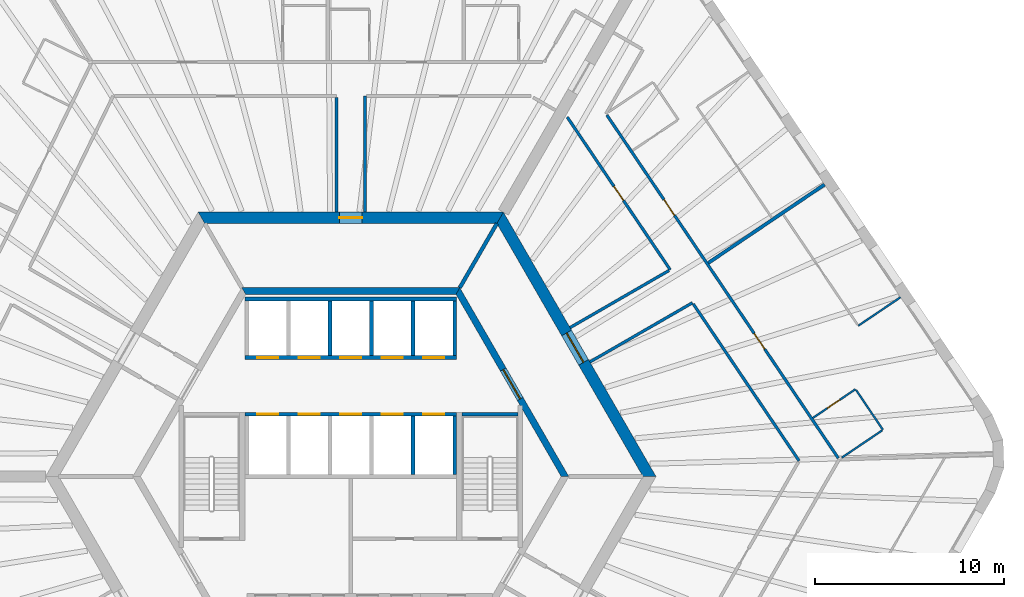
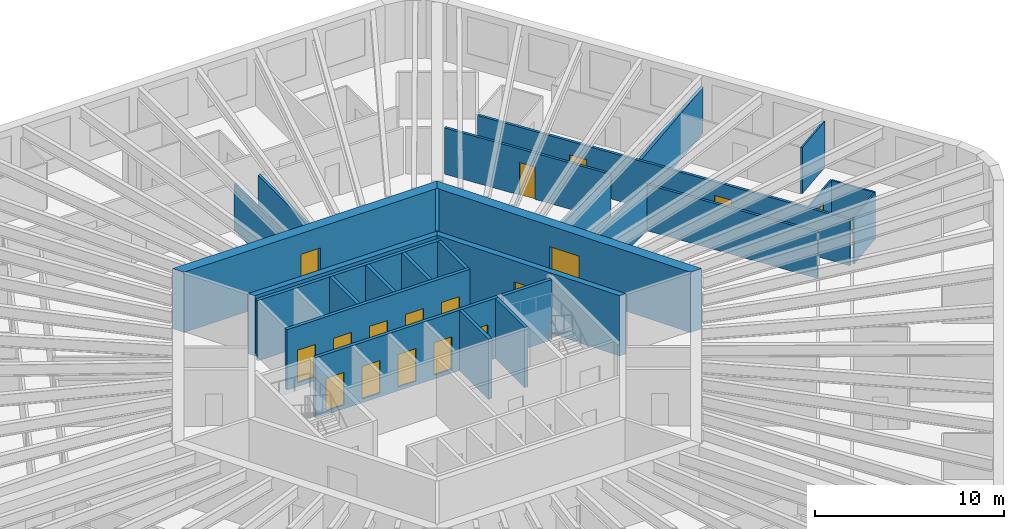
# One storey, part 9 of 12: 27 walls, 17 doors, 17 openings.
"""IFC4 building model written with IfcOpenShell, lengths in metres."""

from ifc_helpers import new_model, si_unit, direction, frame, frame_2d, origin, place, context, subcontext, project, spatial, polyline, rectangle, outline, extrude, material, layer, layer_set, type_object, element, fill, save


model = new_model("IFC4")

# Units and contexts
model_context = context("Model", 3, precision=1e-05, world=origin(), true_north=direction((0.0, 1.0)))
body_context = subcontext(model_context, "Body", "Model", "MODEL_VIEW")
ifc_project = project(units=[si_unit("LENGTHUNIT", "METRE"), si_unit("AREAUNIT", "SQUARE_METRE"), si_unit("VOLUMEUNIT", "CUBIC_METRE"), si_unit("PLANEANGLEUNIT", "RADIAN"), si_unit("MASSUNIT", "GRAM", prefix="KILO")], contexts=[model_context])

# Site, building, storey
site_placement = place(None, origin())
site = spatial("IfcSite", under=ifc_project, at=site_placement, CompositionType="ELEMENT")
building_placement = place(site_placement, origin())
building = spatial("IfcBuilding", under=site, at=building_placement, Name="Tarnside Tower", CompositionType="ELEMENT")
storey_placement = place(building_placement, frame((0.0, 0.0, 115.5)))
storey = spatial("IfcBuildingStorey", under=building, at=storey_placement, Name="L26", CompositionType="ELEMENT", Elevation=115.5)

# Wall, opening, door
ifc_material_1 = material(Name="Gypsum board partition on steel studs", Category="steel")
ifc_layer_1 = layer(ifc_material_1, 0.10009765625)
ifc_layer_set_1 = layer_set([ifc_layer_1], Name="Bathroom wall 100")
wall_type_1 = type_object("IfcWallType", Name="Bathroom wall 100", PredefinedType="PARTITIONING", material=ifc_layer_set_1)
wall_1_placement = place(storey_placement, frame((24.4755859375, 3.100830078125, 0.0), z_axis=(0.0, 0.0, 1.0), x_axis=(0.829047014003, 0.559178905694, 0.0)))
wall_1 = element("IfcWall", 1, at=wall_1_placement, inside=storey, type_object=wall_type_1, Name="Bathroom wall 08137", PredefinedType="PARTITIONING", context=body_context, shape_type="SweptSolid", body=[
    extrude(rectangle(XDim=2.724853515625, YDim=0.10009765625, at=frame_2d((1.3623046875, 0.0))), origin(), (0.0, 0.0, 1.0), 2.98779296875),
])
opening_1_placement = place(wall_1_placement, frame((0.925048828125, 0.0, 0.0)))
opening_1 = element("IfcOpeningElement", 2, at=opening_1_placement, cuts=wall_1, Name="Opening D-B1", PredefinedType="OPENING", context=body_context, shape_type="SweptSolid", body=[
    extrude(rectangle(XDim=0.800048828125, YDim=2.10009765625, at=frame_2d((0.39990234375, 1.050048828125))), frame((0.0, 0.06005859375, 0.0), z_axis=(0.0, -1.0, 0.0), x_axis=(1.0, 0.0, 0.0)), (0.0, 0.0, 1.0), 0.1201171875),
])
ifc_material_2 = material(Name="Timber door leaf", Category="wood")
door_type_1 = type_object("IfcDoorType", Name="Bathroom door 800", OperationType="NOTDEFINED", PredefinedType="DOOR", material=ifc_material_2)
door_1_placement = place(opening_1_placement, origin())
door_1 = element("IfcDoor", 3, at=door_1_placement, inside=storey, type_object=door_type_1, Name="Bathroom door 08035", OperationType="SINGLE_SWING_RIGHT", OverallHeight=2.10009765625, OverallWidth=0.800048828125, PredefinedType="DOOR", context=body_context, shape_type="SweptSolid", body=[
    extrude(rectangle(XDim=0.800048828125, YDim=2.10009765625, at=frame_2d((0.39990234375, 1.050048828125))), frame((0.0, 0.02490234375, 0.0), z_axis=(0.0, -1.0, 0.0), x_axis=(1.0, 0.0, 0.0)), (0.0, 0.0, 1.0), 0.050048828125),
])
fill(opening_1, door_1)

# Walls
wall_2_placement = place(storey_placement, frame((26.762451171875, 4.5830078125, 0.0), z_axis=(0.0, 0.0, 1.0), x_axis=(0.559221247909, -0.829018453285, 0.0)))
element("IfcWall", 4, at=wall_2_placement, inside=storey, type_object=wall_type_1, Name="Bathroom wall 08138", PredefinedType="PARTITIONING", context=body_context, shape_type="SweptSolid", body=[
    extrude(rectangle(XDim=2.550048828125, YDim=0.10009765625, at=frame_2d((1.27490234375, 0.0))), origin(), (0.0, 0.0, 1.0), 2.98779296875),
])
wall_3_placement = place(storey_placement, frame((28.14697265625, 2.441162109375, 0.0), z_axis=(0.0, 0.0, 1.0), x_axis=(-0.829023136679, -0.559214304941, 0.0)))
element("IfcWall", 5, at=wall_3_placement, inside=storey, type_object=wall_type_1, Name="Bathroom wall 08139", PredefinedType="PARTITIONING", context=body_context, shape_type="SweptSolid", body=[
    extrude(rectangle(XDim=2.578857421875, YDim=0.10009765625, at=frame_2d((1.28955078125, 0.0))), origin(), (0.0, 0.0, 1.0), 2.98779296875),
])

# Wall, opening, door
ifc_material_3 = material(Name="Concrete C50/60", Category="concrete")
ifc_layer_2 = layer(ifc_material_3, 0.35009765625)
ifc_layer_set_2 = layer_set([ifc_layer_2], Name="Core block wall 350 C50/60")
wall_type_2 = type_object("IfcWallType", Name="Core block wall 350 C50/60", PredefinedType="SHEAR", material=ifc_layer_set_2)
wall_4_placement = place(storey_placement, frame((11.344970703125, 0.0, -0.14990234375), z_axis=(0.0, 0.0, 1.0), x_axis=(-0.499995046907, 0.866028263435, 0.0)))
wall_4 = element("IfcWall", 6, at=wall_4_placement, inside=storey, type_object=wall_type_2, Name="L26 core block wall face 6", PredefinedType="SHEAR", context=body_context, shape_type="SweptSolid", body=[
    extrude(outline(polyline([(-0.10107421875, -0.175048828125), (11.44580078125, -0.175048828125), (11.24365234375, 0.175048828125), (0.10107421875, 0.175048828125), (-0.10107421875, -0.175048828125)])), origin(), (0.0, 0.0, 1.0), 3.89990234375),
])
opening_2_placement = place(wall_4_placement, frame((4.74365234375, 0.0, 0.14990234375)))
opening_2 = element("IfcOpeningElement", 7, at=opening_2_placement, cuts=wall_4, Name="Opening CD-LOB", PredefinedType="OPENING", context=body_context, shape_type="SweptSolid", body=[
    extrude(rectangle(XDim=1.800048828125, YDim=2.39990234375, at=frame_2d((0.89990234375, 1.199951171875))), frame((0.0, 0.18505859375, 0.0), z_axis=(0.0, -1.0, 0.0), x_axis=(1.0, 0.0, 0.0)), (0.0, 0.0, 1.0), 0.3701171875),
])
ifc_material_4 = material(Name="Steel fire door", Category="steel")
door_type_2 = type_object("IfcDoorType", Name="Lobby double door FD30S 1800x2400", OperationType="NOTDEFINED", PredefinedType="DOOR", material=ifc_material_4)
door_2_placement = place(opening_2_placement, origin())
door_2 = element("IfcDoor", 8, at=door_2_placement, inside=storey, type_object=door_type_2, Name="L26 lobby block door P2", OperationType="DOUBLE_DOOR_SINGLE_SWING", OverallHeight=2.39990234375, OverallWidth=1.800048828125, PredefinedType="DOOR", context=body_context, shape_type="SweptSolid", body=[
    extrude(rectangle(XDim=1.800048828125, YDim=2.39990234375, at=frame_2d((0.89990234375, 1.199951171875))), frame((0.0, 0.02490234375, 0.0), z_axis=(0.0, -1.0, 0.0), x_axis=(1.0, 0.0, 0.0)), (0.0, 0.0, 1.0), 0.050048828125),
])
fill(opening_2, door_2)

# Wall
wall_5_placement = place(storey_placement, frame((5.672607421875, 9.824951171875, -0.14990234375), z_axis=(0.0, 0.0, 1.0), x_axis=(-1.0, 0.0, 0.0)))
element("IfcWall", 9, at=wall_5_placement, inside=storey, type_object=wall_type_2, Name="L26 core block wall face 1", PredefinedType="SHEAR", context=body_context, shape_type="SweptSolid", body=[
    extrude(outline(polyline([(-0.10107421875, -0.175048828125), (11.4462890625, -0.175048828125), (11.244140625, 0.175048828125), (0.10107421875, 0.175048828125), (-0.10107421875, -0.175048828125)])), origin(), (0.0, 0.0, 1.0), 3.89990234375),
])

# Wall, opening, door
ifc_material_5 = material(Name="Concrete C80/95", Category="concrete")
ifc_layer_3 = layer(ifc_material_5, 0.60009765625)
ifc_layer_set_3 = layer_set([ifc_layer_3], Name="Core wall Z1 600 C80/95")
wall_type_3 = type_object("IfcWallType", Name="Core wall Z1 600 C80/95", PredefinedType="SHEAR", material=ifc_layer_set_3)
wall_6_placement = place(storey_placement, frame((15.8193359375, 0.0, -0.14990234375), z_axis=(0.0, 0.0, 1.0), x_axis=(-0.499999880136, 0.866025472988, 0.0)))
wall_6 = element("IfcWall", 10, at=wall_6_placement, inside=storey, type_object=wall_type_3, Name="L26 core wall face 6", PredefinedType="SHEAR", context=body_context, shape_type="SweptSolid", body=[
    extrude(outline(polyline([(-0.17333984375, -0.300048828125), (15.99267578125, -0.300048828125), (15.64599609375, 0.300048828125), (0.17333984375, 0.300048828125), (-0.17333984375, -0.300048828125)])), origin(), (0.0, 0.0, 1.0), 3.89990234375),
])
opening_3_placement = place(wall_6_placement, frame((6.980712890625, 0.0, 0.14990234375)))
opening_3 = element("IfcOpeningElement", 11, at=opening_3_placement, cuts=wall_6, Name="Opening CD-LOB", PredefinedType="OPENING", context=body_context, shape_type="SweptSolid", body=[
    extrude(rectangle(XDim=1.800048828125, YDim=2.39990234375, at=frame_2d((0.89990234375, 1.199951171875))), frame((0.0, 0.31005859375, 0.0), z_axis=(0.0, -1.0, 0.0), x_axis=(1.0, 0.0, 0.0)), (0.0, 0.0, 1.0), 0.6201171875),
])
door_3_placement = place(opening_3_placement, origin())
door_3 = element("IfcDoor", 12, at=door_3_placement, inside=storey, type_object=door_type_2, Name="L26 core door P2", OperationType="DOUBLE_DOOR_SINGLE_SWING", OverallHeight=2.39990234375, OverallWidth=1.800048828125, PredefinedType="DOOR", context=body_context, shape_type="SweptSolid", body=[
    extrude(rectangle(XDim=1.800048828125, YDim=2.39990234375, at=frame_2d((0.89990234375, 1.199951171875))), frame((0.0, 0.02490234375, 0.0), z_axis=(0.0, -1.0, 0.0), x_axis=(1.0, 0.0, 0.0)), (0.0, 0.0, 1.0), 0.050048828125),
])
fill(opening_3, door_3)

wall_7_placement = place(storey_placement, frame((7.90966796875, 13.699951171875, -0.14990234375), z_axis=(0.0, 0.0, 1.0), x_axis=(-1.0, 0.0, 0.0)))
wall_7 = element("IfcWall", 13, at=wall_7_placement, inside=storey, type_object=wall_type_3, Name="L26 core wall face 1", PredefinedType="SHEAR", context=body_context, shape_type="SweptSolid", body=[
    extrude(outline(polyline([(-0.17333984375, -0.300048828125), (15.99267578125, -0.300048828125), (15.64599609375, 0.300048828125), (0.17333984375, 0.300048828125), (-0.17333984375, -0.300048828125)])), origin(), (0.0, 0.0, 1.0), 3.89990234375),
])
opening_4_placement = place(wall_7_placement, frame((7.309814453125, 0.0, 0.14990234375)))
opening_4 = element("IfcOpeningElement", 14, at=opening_4_placement, cuts=wall_7, Name="Opening CD-RSR", PredefinedType="OPENING", context=body_context, shape_type="SweptSolid", body=[
    extrude(rectangle(XDim=1.199951171875, YDim=2.39990234375, at=frame_2d((0.60009765625, 1.199951171875))), frame((0.0, 0.31005859375, 0.0), z_axis=(0.0, -1.0, 0.0), x_axis=(1.0, 0.0, 0.0)), (0.0, 0.0, 1.0), 0.6201171875),
])
door_type_3 = type_object("IfcDoorType", Name="Riser door FD60 1200x2400", OperationType="NOTDEFINED", PredefinedType="DOOR", material=ifc_material_4)
door_4_placement = place(opening_4_placement, origin())
door_4 = element("IfcDoor", 15, at=door_4_placement, inside=storey, type_object=door_type_3, Name="L26 core door S5", OperationType="SINGLE_SWING_LEFT", OverallHeight=2.39990234375, OverallWidth=1.199951171875, PredefinedType="DOOR", context=body_context, shape_type="SweptSolid", body=[
    extrude(rectangle(XDim=1.199951171875, YDim=2.39990234375, at=frame_2d((0.60009765625, 1.199951171875))), frame((0.0, 0.02490234375, 0.0), z_axis=(0.0, -1.0, 0.0), x_axis=(1.0, 0.0, 0.0)), (0.0, 0.0, 1.0), 0.050048828125),
])
fill(opening_4, door_4)

# Walls
ifc_layer_4 = layer(ifc_material_1, 0.14990234375)
ifc_layer_set_4 = layer_set([ifc_layer_4], Name="Corridor wall 150 EI 60")
wall_type_4 = type_object("IfcWallType", Name="Corridor wall 150 EI 60", PredefinedType="PARTITIONING", material=ifc_layer_set_4)
wall_8_placement = place(storey_placement, frame((-0.75, 20.074951171875, 0.0), z_axis=(0.0, 0.0, 1.0), x_axis=(0.0, -1.0, 0.0)))
element("IfcWall", 16, at=wall_8_placement, inside=storey, type_object=wall_type_4, Name="Corridor wall 08019", PredefinedType="PARTITIONING", context=body_context, shape_type="SweptSolid", body=[
    extrude(rectangle(XDim=6.074951171875, YDim=0.14990234375, at=frame_2d((3.03759765625, 0.0))), origin(), (0.0, 0.0, 1.0), 2.98779296875),
])
wall_9_placement = place(storey_placement, frame((0.75, 14.0, 0.0), z_axis=(0.0, 0.0, 1.0), x_axis=(0.0, 1.0, 0.0)))
element("IfcWall", 17, at=wall_9_placement, inside=storey, type_object=wall_type_4, Name="Corridor wall 08020", PredefinedType="PARTITIONING", context=body_context, shape_type="SweptSolid", body=[
    extrude(rectangle(XDim=6.14990234375, YDim=0.14990234375, at=frame_2d((3.074951171875, 0.0))), origin(), (0.0, 0.0, 1.0), 2.98779296875),
])

# Wall, openings, doors
wall_10_placement = place(storey_placement, frame((25.820556640625, 0.972412109375, 0.0), z_axis=(0.0, 0.0, 1.0), x_axis=(-0.559192946342, 0.829037543638, 0.0)))
wall_10 = element("IfcWall", 18, at=wall_10_placement, inside=storey, type_object=wall_type_4, Name="Corridor wall 08056", PredefinedType="PARTITIONING", context=body_context, shape_type="SweptSolid", body=[
    extrude(rectangle(XDim=21.91845703125, YDim=0.14990234375, at=frame_2d((10.959228515625, 0.0))), origin(), (0.0, 0.0, 1.0), 2.98779296875),
])
opening_5_placement = place(wall_10_placement, frame((6.968994140625, 0.0, 0.0)))
opening_5 = element("IfcOpeningElement", 19, at=opening_5_placement, cuts=wall_10, Name="Opening D-E1", PredefinedType="OPENING", context=body_context, shape_type="SweptSolid", body=[
    extrude(rectangle(XDim=1.0, YDim=2.10009765625, at=frame_2d((0.5, 1.050048828125))), frame((0.0, 0.0849609375, 0.0), z_axis=(0.0, -1.0, 0.0), x_axis=(1.0, 0.0, 0.0)), (0.0, 0.0, 1.0), 0.169921875),
])
opening_6_placement = place(wall_10_placement, frame((15.511474609375, 0.0, 0.0)))
opening_6 = element("IfcOpeningElement", 20, at=opening_6_placement, cuts=wall_10, Name="Opening D-E1", PredefinedType="OPENING", context=body_context, shape_type="SweptSolid", body=[
    extrude(rectangle(XDim=1.0, YDim=2.10009765625, at=frame_2d((0.5, 1.050048828125))), frame((0.0, 0.0849609375, 0.0), z_axis=(0.0, -1.0, 0.0), x_axis=(1.0, 0.0, 0.0)), (0.0, 0.0, 1.0), 0.169921875),
])
door_type_4 = type_object("IfcDoorType", Name="Unit entrance door 1000 FD30S", OperationType="NOTDEFINED", PredefinedType="DOOR", material=ifc_material_2)
door_5_placement = place(opening_5_placement, origin())
door_5 = element("IfcDoor", 21, at=door_5_placement, inside=storey, type_object=door_type_4, Name="Unit door 08034", OperationType="SINGLE_SWING_RIGHT", OverallHeight=2.10009765625, OverallWidth=1.0, PredefinedType="DOOR", context=body_context, shape_type="SweptSolid", body=[
    extrude(rectangle(XDim=1.0, YDim=2.10009765625, at=frame_2d((0.5, 1.050048828125))), frame((0.0, 0.02490234375, 0.0), z_axis=(0.0, -1.0, 0.0), x_axis=(1.0, 0.0, 0.0)), (0.0, 0.0, 1.0), 0.050048828125),
])
fill(opening_5, door_5)
door_6_placement = place(opening_6_placement, origin())
door_6 = element("IfcDoor", 22, at=door_6_placement, inside=storey, type_object=door_type_4, Name="Unit door 08037", OperationType="SINGLE_SWING_LEFT", OverallHeight=2.10009765625, OverallWidth=1.0, PredefinedType="DOOR", context=body_context, shape_type="SweptSolid", body=[
    extrude(rectangle(XDim=1.0, YDim=2.10009765625, at=frame_2d((0.5, 1.050048828125))), frame((0.0, 0.02490234375, 0.0), z_axis=(0.0, -1.0, 0.0), x_axis=(1.0, 0.0, 0.0)), (0.0, 0.0, 1.0), 0.050048828125),
])
fill(opening_6, door_6)

# Walls
wall_11_placement = place(storey_placement, frame((12.663818359375, 6.065673828125, 0.0), z_axis=(0.0, 0.0, 1.0), x_axis=(0.866036561919, 0.499980673046, 0.0)))
element("IfcWall", 23, at=wall_11_placement, inside=storey, type_object=wall_type_4, Name="Corridor wall 08062", PredefinedType="PARTITIONING", context=body_context, shape_type="SweptSolid", body=[
    extrude(rectangle(XDim=6.274658203125, YDim=0.14990234375, at=frame_2d((3.13720703125, 0.0))), origin(), (0.0, 0.0, 1.0), 2.98779296875),
])
wall_12_placement = place(storey_placement, frame((18.139892578125, 9.140625, 0.0), z_axis=(0.0, 0.0, 1.0), x_axis=(0.55918799196, -0.829040885389, 0.0)))
element("IfcWall", 24, at=wall_12_placement, inside=storey, type_object=wall_type_4, Name="Corridor wall 08063", PredefinedType="PARTITIONING", context=body_context, shape_type="SweptSolid", body=[
    extrude(rectangle(XDim=10.025146484375, YDim=0.14990234375, at=frame_2d((5.0126953125, 0.0))), origin(), (0.0, 0.0, 1.0), 2.98779296875),
])

# Wall, opening, door
wall_13_placement = place(storey_placement, frame((11.464599609375, 19.037109375, 0.0), z_axis=(0.0, 0.0, 1.0), x_axis=(0.559196064773, -0.829035440221, 0.0)))
wall_13 = element("IfcWall", 25, at=wall_13_placement, inside=storey, type_object=wall_type_4, Name="Corridor wall 08069", PredefinedType="PARTITIONING", context=body_context, shape_type="SweptSolid", body=[
    extrude(rectangle(XDim=9.757080078125, YDim=0.14990234375, at=frame_2d((4.87841796875, 0.0))), origin(), (0.0, 0.0, 1.0), 2.98779296875),
])
opening_7_placement = place(wall_13_placement, frame((4.428466796875, 0.0, 0.0)))
opening_7 = element("IfcOpeningElement", 26, at=opening_7_placement, cuts=wall_13, Name="Opening D-S1", PredefinedType="OPENING", context=body_context, shape_type="SweptSolid", body=[
    extrude(rectangle(XDim=0.89990234375, YDim=2.10009765625, at=frame_2d((0.449951171875, 1.050048828125))), frame((0.0, 0.0849609375, 0.0), z_axis=(0.0, -1.0, 0.0), x_axis=(1.0, 0.0, 0.0)), (0.0, 0.0, 1.0), 0.169921875),
])
door_type_5 = type_object("IfcDoorType", Name="Service room door 900 FD30S", OperationType="NOTDEFINED", PredefinedType="DOOR", material=ifc_material_2)
door_7_placement = place(opening_7_placement, origin())
door_7 = element("IfcDoor", 27, at=door_7_placement, inside=storey, type_object=door_type_5, Name="Service door 08048", OperationType="SINGLE_SWING_RIGHT", OverallHeight=2.10009765625, OverallWidth=0.89990234375, PredefinedType="DOOR", context=body_context, shape_type="SweptSolid", body=[
    extrude(rectangle(XDim=0.89990234375, YDim=2.10009765625, at=frame_2d((0.449951171875, 1.050048828125))), frame((0.0, 0.02490234375, 0.0), z_axis=(0.0, -1.0, 0.0), x_axis=(1.0, 0.0, 0.0)), (0.0, 0.0, 1.0), 0.050048828125),
])
fill(opening_7, door_7)

# Walls
wall_14_placement = place(storey_placement, frame((16.85546875, 10.91064453125, 0.0), z_axis=(0.0, 0.0, 1.0), x_axis=(-0.866020343444, -0.500008764664, 0.0)))
element("IfcWall", 28, at=wall_14_placement, inside=storey, type_object=wall_type_4, Name="Corridor wall 08070", PredefinedType="PARTITIONING", context=body_context, shape_type="SweptSolid", body=[
    extrude(rectangle(XDim=6.052734375, YDim=0.14990234375, at=frame_2d((3.0263671875, 0.0))), origin(), (0.0, 0.0, 1.0), 2.98779296875),
])
ifc_layer_5 = layer(ifc_material_1, 0.179931640625)
ifc_layer_set_5 = layer_set([ifc_layer_5], Name="Demising wall 180 EI 60")
wall_type_5 = type_object("IfcWallType", Name="Demising wall 180 EI 60", PredefinedType="PARTITIONING", material=ifc_layer_set_5)
wall_15_placement = place(storey_placement, frame((25.09228515625, 15.464111328125, 0.0), z_axis=(0.0, 0.0, 1.0), x_axis=(-0.829043414408, -0.559184242471, 0.0)))
element("IfcWall", 29, at=wall_15_placement, inside=storey, type_object=wall_type_5, Name="Demising wall 08142", PredefinedType="PARTITIONING", context=body_context, shape_type="SweptSolid", body=[
    extrude(rectangle(XDim=7.4248046875, YDim=0.179931640625, at=frame_2d((3.71240234375, 0.0))), origin(), (0.0, 0.0, 1.0), 2.98779296875),
])

# Wall, openings, doors
ifc_material_6 = material(Name="Concrete C40/50", Category="concrete")
ifc_layer_6 = layer(ifc_material_6, 0.199951171875)
ifc_layer_set_6 = layer_set([ifc_layer_6], Name="Lift shaft wall 200 C40/50")
wall_type_6 = type_object("IfcWallType", Name="Lift shaft wall 200 C40/50", PredefinedType="SHEAR", material=ifc_layer_set_6)
wall_16_placement = place(storey_placement, frame((-5.60009765625, 6.300048828125, -0.25), z_axis=(0.0, 0.0, 1.0), x_axis=(1.0, 0.0, 0.0)))
wall_16 = element("IfcWall", 30, at=wall_16_placement, inside=storey, type_object=wall_type_6, Name="L26 lift shaft front wall R1", PredefinedType="SHEAR", context=body_context, shape_type="SweptSolid", body=[
    extrude(rectangle(XDim=11.2001953125, YDim=0.199951171875, at=frame_2d((5.60009765625, 0.0))), origin(), (0.0, 0.0, 1.0), 3.89990234375),
])
opening_8_placement = place(wall_16_placement, frame((0.64990234375, 0.0, 0.25)))
opening_8 = element("IfcOpeningElement", 31, at=opening_8_placement, cuts=wall_16, Name="Opening LD", PredefinedType="OPENING", context=body_context, shape_type="SweptSolid", body=[
    extrude(rectangle(XDim=1.10009765625, YDim=2.10009765625, at=frame_2d((0.550048828125, 1.050048828125))), frame((0.0, 0.10986328125, 0.0), z_axis=(0.0, -1.0, 0.0), x_axis=(1.0, 0.0, 0.0)), (0.0, 0.0, 1.0), 0.219970703125),
])
opening_9_placement = place(wall_16_placement, frame((2.85009765625, 0.0, 0.25)))
opening_9 = element("IfcOpeningElement", 32, at=opening_9_placement, cuts=wall_16, Name="Opening LD", PredefinedType="OPENING", context=body_context, shape_type="SweptSolid", body=[
    extrude(rectangle(XDim=1.10009765625, YDim=2.10009765625, at=frame_2d((0.550048828125, 1.050048828125))), frame((0.0, 0.10986328125, 0.0), z_axis=(0.0, -1.0, 0.0), x_axis=(1.0, 0.0, 0.0)), (0.0, 0.0, 1.0), 0.219970703125),
])
opening_10_placement = place(wall_16_placement, frame((5.050048828125, 0.0, 0.25)))
opening_10 = element("IfcOpeningElement", 33, at=opening_10_placement, cuts=wall_16, Name="Opening LD", PredefinedType="OPENING", context=body_context, shape_type="SweptSolid", body=[
    extrude(rectangle(XDim=1.10009765625, YDim=2.10009765625, at=frame_2d((0.550048828125, 1.050048828125))), frame((0.0, 0.10986328125, 0.0), z_axis=(0.0, -1.0, 0.0), x_axis=(1.0, 0.0, 0.0)), (0.0, 0.0, 1.0), 0.219970703125),
])
opening_11_placement = place(wall_16_placement, frame((7.25, 0.0, 0.25)))
opening_11 = element("IfcOpeningElement", 34, at=opening_11_placement, cuts=wall_16, Name="Opening LD", PredefinedType="OPENING", context=body_context, shape_type="SweptSolid", body=[
    extrude(rectangle(XDim=1.10009765625, YDim=2.10009765625, at=frame_2d((0.550048828125, 1.050048828125))), frame((0.0, 0.10986328125, 0.0), z_axis=(0.0, -1.0, 0.0), x_axis=(1.0, 0.0, 0.0)), (0.0, 0.0, 1.0), 0.219970703125),
])
opening_12_placement = place(wall_16_placement, frame((9.449951171875, 0.0, 0.25)))
opening_12 = element("IfcOpeningElement", 35, at=opening_12_placement, cuts=wall_16, Name="Opening LD", PredefinedType="OPENING", context=body_context, shape_type="SweptSolid", body=[
    extrude(rectangle(XDim=1.10009765625, YDim=2.10009765625, at=frame_2d((0.550048828125, 1.050048828125))), frame((0.0, 0.10986328125, 0.0), z_axis=(0.0, -1.0, 0.0), x_axis=(1.0, 0.0, 0.0)), (0.0, 0.0, 1.0), 0.219970703125),
])
ifc_material_7 = material(Name="Stainless steel", Category="steel")
door_type_6 = type_object("IfcDoorType", Name="Lift landing door 1100x2100", OperationType="NOTDEFINED", PredefinedType="DOOR", material=ifc_material_7)
door_8_placement = place(opening_8_placement, origin())
door_8 = element("IfcDoor", 36, at=door_8_placement, inside=storey, type_object=door_type_6, Name="Low-rise lift 1 landing door L26", OperationType="SLIDING_TO_LEFT", OverallHeight=2.10009765625, OverallWidth=1.10009765625, PredefinedType="DOOR", context=body_context, shape_type="SweptSolid", body=[
    extrude(rectangle(XDim=1.10009765625, YDim=2.10009765625, at=frame_2d((0.550048828125, 1.050048828125))), frame((0.0, 0.02490234375, 0.0), z_axis=(0.0, -1.0, 0.0), x_axis=(1.0, 0.0, 0.0)), (0.0, 0.0, 1.0), 0.050048828125),
])
fill(opening_8, door_8)
door_9_placement = place(opening_9_placement, origin())
door_9 = element("IfcDoor", 37, at=door_9_placement, inside=storey, type_object=door_type_6, Name="Low-rise lift 2 landing door L26", OperationType="SLIDING_TO_LEFT", OverallHeight=2.10009765625, OverallWidth=1.10009765625, PredefinedType="DOOR", context=body_context, shape_type="SweptSolid", body=[
    extrude(rectangle(XDim=1.10009765625, YDim=2.10009765625, at=frame_2d((0.550048828125, 1.050048828125))), frame((0.0, 0.02490234375, 0.0), z_axis=(0.0, -1.0, 0.0), x_axis=(1.0, 0.0, 0.0)), (0.0, 0.0, 1.0), 0.050048828125),
])
fill(opening_9, door_9)
door_10_placement = place(opening_10_placement, origin())
door_10 = element("IfcDoor", 38, at=door_10_placement, inside=storey, type_object=door_type_6, Name="Low-rise lift 3 landing door L26", OperationType="SLIDING_TO_LEFT", OverallHeight=2.10009765625, OverallWidth=1.10009765625, PredefinedType="DOOR", context=body_context, shape_type="SweptSolid", body=[
    extrude(rectangle(XDim=1.10009765625, YDim=2.10009765625, at=frame_2d((0.550048828125, 1.050048828125))), frame((0.0, 0.02490234375, 0.0), z_axis=(0.0, -1.0, 0.0), x_axis=(1.0, 0.0, 0.0)), (0.0, 0.0, 1.0), 0.050048828125),
])
fill(opening_10, door_10)
door_11_placement = place(opening_11_placement, origin())
door_11 = element("IfcDoor", 39, at=door_11_placement, inside=storey, type_object=door_type_6, Name="Low sky-lobby shuttle 1 landing door L26", OperationType="SLIDING_TO_LEFT", OverallHeight=2.10009765625, OverallWidth=1.10009765625, PredefinedType="DOOR", context=body_context, shape_type="SweptSolid", body=[
    extrude(rectangle(XDim=1.10009765625, YDim=2.10009765625, at=frame_2d((0.550048828125, 1.050048828125))), frame((0.0, 0.02490234375, 0.0), z_axis=(0.0, -1.0, 0.0), x_axis=(1.0, 0.0, 0.0)), (0.0, 0.0, 1.0), 0.050048828125),
])
fill(opening_11, door_11)
door_12_placement = place(opening_12_placement, origin())
door_12 = element("IfcDoor", 40, at=door_12_placement, inside=storey, type_object=door_type_6, Name="Low sky-lobby shuttle 2 landing door L26", OperationType="SLIDING_TO_LEFT", OverallHeight=2.10009765625, OverallWidth=1.10009765625, PredefinedType="DOOR", context=body_context, shape_type="SweptSolid", body=[
    extrude(rectangle(XDim=1.10009765625, YDim=2.10009765625, at=frame_2d((0.550048828125, 1.050048828125))), frame((0.0, 0.02490234375, 0.0), z_axis=(0.0, -1.0, 0.0), x_axis=(1.0, 0.0, 0.0)), (0.0, 0.0, 1.0), 0.050048828125),
])
fill(opening_12, door_12)

# Walls
wall_17_placement = place(storey_placement, frame((-5.60009765625, 9.39990234375, -0.25), z_axis=(0.0, 0.0, 1.0), x_axis=(1.0, 0.0, 0.0)))
element("IfcWall", 41, at=wall_17_placement, inside=storey, type_object=wall_type_6, Name="L26 lift shaft back wall R1", PredefinedType="SHEAR", context=body_context, shape_type="SweptSolid", body=[
    extrude(rectangle(XDim=11.2001953125, YDim=0.199951171875, at=frame_2d((5.60009765625, 0.0))), origin(), (0.0, 0.0, 1.0), 3.89990234375),
])
for number, where, z_axis, x_axis, name in (
    (42, (-1.10009765625, 6.39990234375, -0.25), (0.0, 0.0, 1.0), (0.0, 1.0, 0.0), "L26 lift shaft partition R13"),
    (43, (1.10009765625, 6.39990234375, -0.25), (0.0, 0.0, 1.0), (0.0, 1.0, 0.0), "L26 lift shaft partition R14"),
    (44, (3.300048828125, 6.39990234375, -0.25), (0.0, 0.0, 1.0), (0.0, 1.0, 0.0), "L26 lift shaft partition R15"),
    (45, (5.5, 6.39990234375, -0.25), (0.0, 0.0, 1.0), (0.0, 1.0, 0.0), "L26 lift shaft partition R16"),
):
    element("IfcWall", number, at=place(storey_placement, frame(where, z_axis=z_axis, x_axis=x_axis)), inside=storey, type_object=wall_type_6, Name=name, PredefinedType="SHEAR", context=body_context, shape_type="SweptSolid", body=[
        extrude(rectangle(XDim=2.900146484375, YDim=0.199951171875, at=frame_2d((1.4501953125, 0.0))), origin(), (0.0, 0.0, 1.0), 3.89990234375),
    ])

# Wall, openings, doors
wall_18_placement = place(storey_placement, frame((-5.60009765625, 3.300048828125, -0.25), z_axis=(0.0, 0.0, 1.0), x_axis=(1.0, 0.0, 0.0)))
wall_18 = element("IfcWall", 46, at=wall_18_placement, inside=storey, type_object=wall_type_6, Name="L26 lift shaft front wall R2", PredefinedType="SHEAR", context=body_context, shape_type="SweptSolid", body=[
    extrude(rectangle(XDim=11.2001953125, YDim=0.199951171875, at=frame_2d((5.60009765625, 0.0))), origin(), (0.0, 0.0, 1.0), 3.89990234375),
])
opening_13_placement = place(wall_18_placement, frame((0.64990234375, 0.0, 0.25)))
opening_13 = element("IfcOpeningElement", 47, at=opening_13_placement, cuts=wall_18, Name="Opening LD", PredefinedType="OPENING", context=body_context, shape_type="SweptSolid", body=[
    extrude(rectangle(XDim=1.10009765625, YDim=2.10009765625, at=frame_2d((0.550048828125, 1.050048828125))), frame((0.0, 0.10986328125, 0.0), z_axis=(0.0, -1.0, 0.0), x_axis=(1.0, 0.0, 0.0)), (0.0, 0.0, 1.0), 0.219970703125),
])
opening_14_placement = place(wall_18_placement, frame((2.85009765625, 0.0, 0.25)))
opening_14 = element("IfcOpeningElement", 48, at=opening_14_placement, cuts=wall_18, Name="Opening LD", PredefinedType="OPENING", context=body_context, shape_type="SweptSolid", body=[
    extrude(rectangle(XDim=1.10009765625, YDim=2.10009765625, at=frame_2d((0.550048828125, 1.050048828125))), frame((0.0, 0.10986328125, 0.0), z_axis=(0.0, -1.0, 0.0), x_axis=(1.0, 0.0, 0.0)), (0.0, 0.0, 1.0), 0.219970703125),
])
opening_15_placement = place(wall_18_placement, frame((5.050048828125, 0.0, 0.25)))
opening_15 = element("IfcOpeningElement", 49, at=opening_15_placement, cuts=wall_18, Name="Opening LD", PredefinedType="OPENING", context=body_context, shape_type="SweptSolid", body=[
    extrude(rectangle(XDim=1.10009765625, YDim=2.10009765625, at=frame_2d((0.550048828125, 1.050048828125))), frame((0.0, 0.10986328125, 0.0), z_axis=(0.0, -1.0, 0.0), x_axis=(1.0, 0.0, 0.0)), (0.0, 0.0, 1.0), 0.219970703125),
])
opening_16_placement = place(wall_18_placement, frame((7.25, 0.0, 0.25)))
opening_16 = element("IfcOpeningElement", 50, at=opening_16_placement, cuts=wall_18, Name="Opening LD", PredefinedType="OPENING", context=body_context, shape_type="SweptSolid", body=[
    extrude(rectangle(XDim=1.10009765625, YDim=2.10009765625, at=frame_2d((0.550048828125, 1.050048828125))), frame((0.0, 0.10986328125, 0.0), z_axis=(0.0, -1.0, 0.0), x_axis=(1.0, 0.0, 0.0)), (0.0, 0.0, 1.0), 0.219970703125),
])
opening_17_placement = place(wall_18_placement, frame((9.449951171875, 0.0, 0.25)))
opening_17 = element("IfcOpeningElement", 51, at=opening_17_placement, cuts=wall_18, Name="Opening LD", PredefinedType="OPENING", context=body_context, shape_type="SweptSolid", body=[
    extrude(rectangle(XDim=1.10009765625, YDim=2.10009765625, at=frame_2d((0.550048828125, 1.050048828125))), frame((0.0, 0.10986328125, 0.0), z_axis=(0.0, -1.0, 0.0), x_axis=(1.0, 0.0, 0.0)), (0.0, 0.0, 1.0), 0.219970703125),
])
door_13_placement = place(opening_13_placement, origin())
door_13 = element("IfcDoor", 52, at=door_13_placement, inside=storey, type_object=door_type_6, Name="Low-rise lift 4 landing door L26", OperationType="SLIDING_TO_LEFT", OverallHeight=2.10009765625, OverallWidth=1.10009765625, PredefinedType="DOOR", context=body_context, shape_type="SweptSolid", body=[
    extrude(rectangle(XDim=1.10009765625, YDim=2.10009765625, at=frame_2d((0.550048828125, 1.050048828125))), frame((0.0, 0.02490234375, 0.0), z_axis=(0.0, -1.0, 0.0), x_axis=(1.0, 0.0, 0.0)), (0.0, 0.0, 1.0), 0.050048828125),
])
fill(opening_13, door_13)
door_14_placement = place(opening_14_placement, origin())
door_14 = element("IfcDoor", 53, at=door_14_placement, inside=storey, type_object=door_type_6, Name="Low-rise lift 5 landing door L26", OperationType="SLIDING_TO_LEFT", OverallHeight=2.10009765625, OverallWidth=1.10009765625, PredefinedType="DOOR", context=body_context, shape_type="SweptSolid", body=[
    extrude(rectangle(XDim=1.10009765625, YDim=2.10009765625, at=frame_2d((0.550048828125, 1.050048828125))), frame((0.0, 0.02490234375, 0.0), z_axis=(0.0, -1.0, 0.0), x_axis=(1.0, 0.0, 0.0)), (0.0, 0.0, 1.0), 0.050048828125),
])
fill(opening_14, door_14)
door_15_placement = place(opening_15_placement, origin())
door_15 = element("IfcDoor", 54, at=door_15_placement, inside=storey, type_object=door_type_6, Name="Low-rise lift 6 landing door L26", OperationType="SLIDING_TO_LEFT", OverallHeight=2.10009765625, OverallWidth=1.10009765625, PredefinedType="DOOR", context=body_context, shape_type="SweptSolid", body=[
    extrude(rectangle(XDim=1.10009765625, YDim=2.10009765625, at=frame_2d((0.550048828125, 1.050048828125))), frame((0.0, 0.02490234375, 0.0), z_axis=(0.0, -1.0, 0.0), x_axis=(1.0, 0.0, 0.0)), (0.0, 0.0, 1.0), 0.050048828125),
])
fill(opening_15, door_15)
door_16_placement = place(opening_16_placement, origin())
door_16 = element("IfcDoor", 55, at=door_16_placement, inside=storey, type_object=door_type_6, Name="High sky-lobby shuttle 1 landing door L26", OperationType="SLIDING_TO_LEFT", OverallHeight=2.10009765625, OverallWidth=1.10009765625, PredefinedType="DOOR", context=body_context, shape_type="SweptSolid", body=[
    extrude(rectangle(XDim=1.10009765625, YDim=2.10009765625, at=frame_2d((0.550048828125, 1.050048828125))), frame((0.0, 0.02490234375, 0.0), z_axis=(0.0, -1.0, 0.0), x_axis=(1.0, 0.0, 0.0)), (0.0, 0.0, 1.0), 0.050048828125),
])
fill(opening_16, door_16)
door_17_placement = place(opening_17_placement, origin())
door_17 = element("IfcDoor", 56, at=door_17_placement, inside=storey, type_object=door_type_6, Name="Express sky-lobby shuttle 2 landing door L26", OperationType="SLIDING_TO_LEFT", OverallHeight=2.10009765625, OverallWidth=1.10009765625, PredefinedType="DOOR", context=body_context, shape_type="SweptSolid", body=[
    extrude(rectangle(XDim=1.10009765625, YDim=2.10009765625, at=frame_2d((0.550048828125, 1.050048828125))), frame((0.0, 0.02490234375, 0.0), z_axis=(0.0, -1.0, 0.0), x_axis=(1.0, 0.0, 0.0)), (0.0, 0.0, 1.0), 0.050048828125),
])
fill(opening_17, door_17)

# Walls
for number, where, z_axis, x_axis, name in (
    (57, (3.300048828125, 0.10009765625, -0.25), (0.0, 0.0, 1.0), (0.0, 1.0, 0.0), "L26 lift shaft partition R25"),
    (58, (5.5, 0.10009765625, -0.25), (0.0, 0.0, 1.0), (0.0, 1.0, 0.0), "L26 lift shaft partition R26"),
):
    element("IfcWall", number, at=place(storey_placement, frame(where, z_axis=z_axis, x_axis=x_axis)), inside=storey, type_object=wall_type_6, Name=name, PredefinedType="SHEAR", context=body_context, shape_type="SweptSolid", body=[
        extrude(rectangle(XDim=3.099853515625, YDim=0.199951171875, at=frame_2d((1.5498046875, 0.0))), origin(), (0.0, 0.0, 1.0), 3.89990234375),
    ])
wall_19_placement = place(storey_placement, frame((5.7734375, 10.0, -0.14990234375), z_axis=(0.0, 0.0, 1.0), x_axis=(0.500038251005, 0.86600331843, 0.0)))
element("IfcWall", 59, at=wall_19_placement, inside=storey, type_object=wall_type_6, Name="L26 core partition AR60", PredefinedType="SHEAR", context=body_context, shape_type="SweptSolid", body=[
    extrude(rectangle(XDim=3.926025390625, YDim=0.199951171875, at=frame_2d((1.962890625, 0.0))), origin(), (0.0, 0.0, 1.0), 3.89990234375),
])
wall_20_placement = place(storey_placement, frame((5.89990234375, 3.300048828125, -0.25), z_axis=(0.0, 0.0, 1.0), x_axis=(1.0, 0.0, 0.0)))
element("IfcWall", 60, at=wall_20_placement, inside=storey, type_object=wall_type_6, Name="L26 stair 1 enclosure cap wall n", PredefinedType="SHEAR", context=body_context, shape_type="SweptSolid", body=[
    extrude(rectangle(XDim=2.9501953125, YDim=0.199951171875, at=frame_2d((1.47509765625, 0.0))), origin(), (0.0, 0.0, 1.0), 3.89990234375),
])
ifc_layer_7 = layer(ifc_material_1, 0.10009765625)
ifc_layer_set_7 = layer_set([ifc_layer_7], Name="Partition 100")
wall_type_7 = type_object("IfcWallType", Name="Partition 100", PredefinedType="PARTITIONING", material=ifc_layer_set_7)
wall_21_placement = place(storey_placement, frame((29.11865234375, 9.4951171875, 0.0), z_axis=(0.0, 0.0, 1.0), x_axis=(-0.829061405999, -0.559157567313, 0.0)))
element("IfcWall", 61, at=wall_21_placement, inside=storey, type_object=wall_type_7, Name="Partition wall 08140", PredefinedType="PARTITIONING", context=body_context, shape_type="SweptSolid", body=[
    extrude(rectangle(XDim=2.699951171875, YDim=0.10009765625, at=frame_2d((1.35009765625, 0.0))), origin(), (0.0, 0.0, 1.0), 2.98779296875),
])

save(model, "model.ifc")
